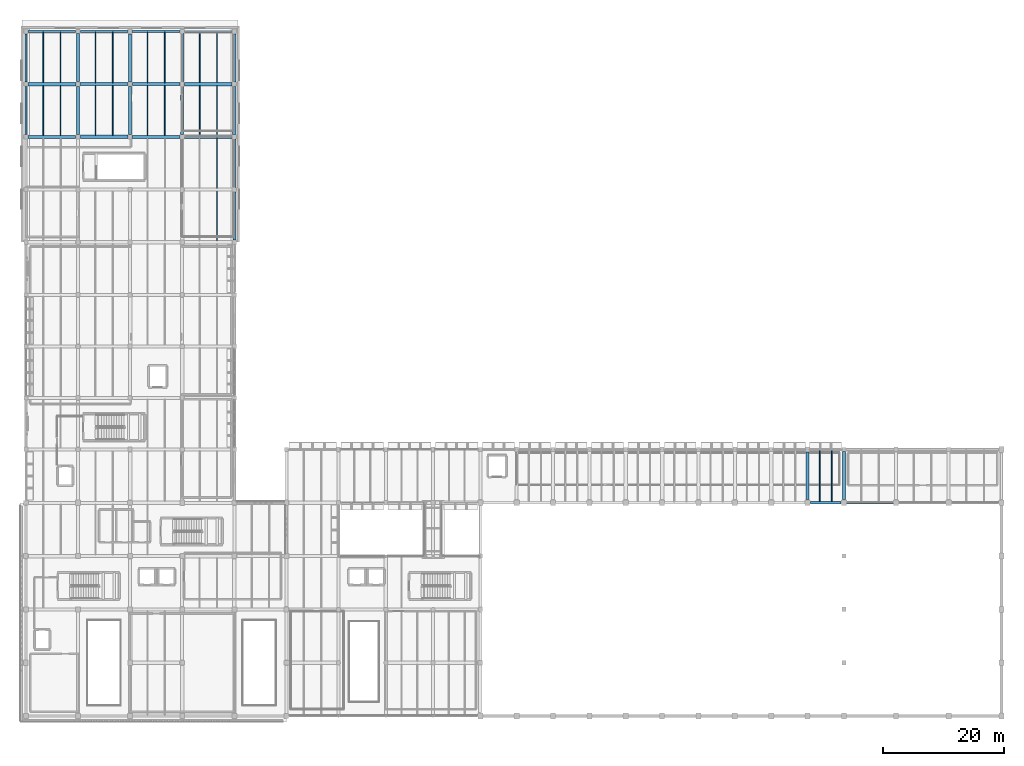
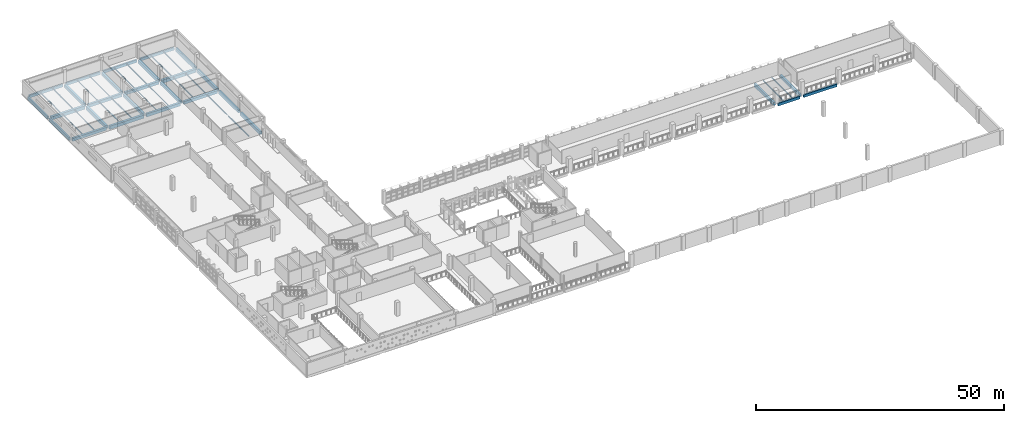
# One storey, part 43 of 75: 48 beams.
"""IFC4 building model written with IfcOpenShell, lengths in metres."""

from ifc_helpers import new_model, si_unit, direction, frame, origin, origin_2d, place, context, subcontext, project, spatial, rectangle, i_section, extrude, material, material_profile, profile_set, type_object, element, save


model = new_model("IFC4")

# Units and contexts
model_context = context("Model", 3, precision=1e-05, world=origin(), true_north=direction((0.0, 1.0)))
body_context = subcontext(model_context, "Body", "Model", "MODEL_VIEW")
ifc_project = project(units=[si_unit("LENGTHUNIT", "METRE"), si_unit("AREAUNIT", "SQUARE_METRE"), si_unit("VOLUMEUNIT", "CUBIC_METRE"), si_unit("PLANEANGLEUNIT", "RADIAN"), si_unit("MASSUNIT", "GRAM", prefix="KILO")], contexts=[model_context])

# Site, building, storey
site_placement = place(None, origin())
site = spatial("IfcSite", under=ifc_project, at=site_placement, CompositionType="ELEMENT")
building_placement = place(site_placement, origin())
building = spatial("IfcBuilding", under=site, at=building_placement, Name="Varnakota Cinema and Media Centre", CompositionType="ELEMENT")
storey_placement = place(building_placement, frame((0.0, 0.0, 8.39990234375)))
storey = spatial("IfcBuildingStorey", under=building, at=storey_placement, Name="L02", CompositionType="ELEMENT", Elevation=8.39990234375)

# Beams
ifc_material_1 = material(Name="Concrete M35", Category="concrete")
ifc_material_profile_1 = material_profile(ifc_material_1, rectangle(XDim=0.5, YDim=0.699951171875, at=origin_2d()), Name="RCB 500x700")
ifc_profile_set_1 = profile_set([ifc_material_profile_1], Name="Concrete M35")
beam_type_1 = type_object("IfcBeamType", Name="BM-RC-500x700", PredefinedType="BEAM", material=ifc_profile_set_1)
for number, where, z_axis, x_axis, name in (
    (1, (0.35009765625, 95.60009765625, -0.599853515625), (1.0, 0.0, 0.0), (0.0, 1.0, 0.0), "L02 girder A-B/12"),
    (2, (26.175048828125, 95.60009765625, -0.599853515625), (1.0, 0.0, 0.0), (0.0, 1.0, 0.0), "L02 girder D-E/12"),
    (3, (17.574951171875, 104.300048828125, -0.599853515625), (1.0, 0.0, 0.0), (0.0, 1.0, 0.0), "L02 girder C-D/13"),
):
    element("IfcBeam", number, at=place(storey_placement, frame(where, z_axis=z_axis, x_axis=x_axis)), inside=storey, type_object=beam_type_1, Name=name, PredefinedType="BEAM", context=body_context, shape_type="SweptSolid", body=[
        extrude(rectangle(XDim=0.5, YDim=0.699951171875, at=origin_2d()), origin(), (0.0, 0.0, 1.0), 7.875),
    ])
beam_1_placement = place(storey_placement, frame((17.199951171875, 104.675048828125, -0.599853515625), z_axis=(0.0, 1.0, 0.0), x_axis=(-1.0, 0.0, 0.0)))
element("IfcBeam", 4, at=beam_1_placement, inside=storey, type_object=beam_type_1, Name="L02 girder C/13-14", PredefinedType="BEAM", context=body_context, shape_type="SweptSolid", body=[
    extrude(rectangle(XDim=0.5, YDim=0.699951171875, at=origin_2d()), origin(), (0.0, 0.0, 1.0), 7.925048828125),
])
beam_2_placement = place(storey_placement, frame((25.800048828125, 95.97509765625, -0.599853515625), z_axis=(0.0, 1.0, 0.0), x_axis=(-1.0, 0.0, 0.0)))
element("IfcBeam", 5, at=beam_2_placement, inside=storey, type_object=beam_type_1, Name="L02 girder D/12-13", PredefinedType="BEAM", context=body_context, shape_type="SweptSolid", body=[
    extrude(rectangle(XDim=0.5, YDim=0.699951171875, at=origin_2d()), origin(), (0.0, 0.0, 1.0), 7.9248046875),
])
beam_3_placement = place(storey_placement, frame((34.39990234375, 87.27490234375, -0.599853515625), z_axis=(0.0, 1.0, 0.0), x_axis=(-1.0, 0.0, 0.0)))
element("IfcBeam", 6, at=beam_3_placement, inside=storey, type_object=beam_type_1, Name="L02 girder E/11-12", PredefinedType="BEAM", context=body_context, shape_type="SweptSolid", body=[
    extrude(rectangle(XDim=0.5, YDim=0.699951171875, at=origin_2d()), origin(), (0.0, 0.0, 1.0), 7.925048828125),
])
beam_4_placement = place(storey_placement, frame((135.0, 35.75, -0.599853515625), z_axis=(0.0, 1.0, 0.0), x_axis=(-1.0, 0.0, 0.0)))
element("IfcBeam", 7, at=beam_4_placement, inside=storey, type_object=beam_type_1, Name="L02 girder V/5-6", PredefinedType="BEAM", context=body_context, shape_type="SweptSolid", body=[
    extrude(rectangle(XDim=0.5, YDim=0.699951171875, at=origin_2d()), origin(), (0.0, 0.0, 1.0), 7.875),
])
ifc_material_2 = material(Name="Concrete M35", Category="concrete")
ifc_material_profile_2 = material_profile(ifc_material_2, rectangle(XDim=0.5, YDim=0.75, at=origin_2d()), Name="RCB 500x750")
ifc_profile_set_2 = profile_set([ifc_material_profile_2], Name="Concrete M35")
beam_type_2 = type_object("IfcBeamType", Name="BM-RC-500x750", PredefinedType="BEAM", material=ifc_profile_set_2)
for number, where, z_axis, x_axis, name in (
    (8, (17.550048828125, 95.60009765625, -0.625), (1.0, 0.0, 0.0), (0.0, 1.0, 0.0), "L02 girder C-D/12"),
    (9, (8.949951171875, 104.300048828125, -0.625), (1.0, 0.0, 0.0), (0.0, 1.0, 0.0), "L02 girder B-C/13"),
):
    element("IfcBeam", number, at=place(storey_placement, frame(where, z_axis=z_axis, x_axis=x_axis)), inside=storey, type_object=beam_type_2, Name=name, PredefinedType="BEAM", context=body_context, shape_type="SweptSolid", body=[
        extrude(rectangle(XDim=0.5, YDim=0.75, at=origin_2d()), origin(), (0.0, 0.0, 1.0), 7.875),
    ])
for number, where, z_axis, x_axis, name in (
    (10, (8.60009765625, 104.699951171875, -0.625), (0.0, 1.0, 0.0), (-1.0, 0.0, 0.0), "L02 girder B/13-14"),
    (11, (17.199951171875, 96.0, -0.625), (0.0, 1.0, 0.0), (-1.0, 0.0, 0.0), "L02 girder C/12-13"),
):
    element("IfcBeam", number, at=place(storey_placement, frame(where, z_axis=z_axis, x_axis=x_axis)), inside=storey, type_object=beam_type_2, Name=name, PredefinedType="BEAM", context=body_context, shape_type="SweptSolid", body=[
        extrude(rectangle(XDim=0.5, YDim=0.75, at=origin_2d()), origin(), (0.0, 0.0, 1.0), 7.925048828125),
    ])
beam_5_placement = place(storey_placement, frame((34.39990234375, 78.60009765625, -0.625), z_axis=(0.0, 1.0, 0.0), x_axis=(-1.0, 0.0, 0.0)))
element("IfcBeam", 12, at=beam_5_placement, inside=storey, type_object=beam_type_2, Name="L02 girder E/10-11", PredefinedType="BEAM", context=body_context, shape_type="SweptSolid", body=[
    extrude(rectangle(XDim=0.5, YDim=0.75, at=origin_2d()), origin(), (0.0, 0.0, 1.0), 7.9248046875),
])
beam_6_placement = place(storey_placement, frame((34.39990234375, 104.675048828125, -0.625), z_axis=(0.0, 1.0, 0.0), x_axis=(-1.0, 0.0, 0.0)))
element("IfcBeam", 13, at=beam_6_placement, inside=storey, type_object=beam_type_2, Name="L02 girder E/13-14", PredefinedType="BEAM", context=body_context, shape_type="SweptSolid", body=[
    extrude(rectangle(XDim=0.5, YDim=0.75, at=origin_2d()), origin(), (0.0, 0.0, 1.0), 7.925048828125),
])
beam_7_placement = place(storey_placement, frame((129.0, 35.75, -0.625), z_axis=(0.0, 1.0, 0.0), x_axis=(-1.0, 0.0, 0.0)))
element("IfcBeam", 14, at=beam_7_placement, inside=storey, type_object=beam_type_2, Name="L02 girder U/5-6", PredefinedType="BEAM", context=body_context, shape_type="SweptSolid", body=[
    extrude(rectangle(XDim=0.5, YDim=0.75, at=origin_2d()), origin(), (0.0, 0.0, 1.0), 7.85009765625),
])
ifc_material_3 = material(Name="Concrete M35", Category="concrete")
ifc_material_profile_3 = material_profile(ifc_material_3, rectangle(XDim=0.550048828125, YDim=0.800048828125, at=origin_2d()), Name="RCB 550x800")
ifc_profile_set_3 = profile_set([ifc_material_profile_3], Name="Concrete M35")
beam_type_3 = type_object("IfcBeamType", Name="BM-RC-550x800", PredefinedType="BEAM", material=ifc_profile_set_3)
for number, where, z_axis, x_axis, name in (
    (15, (8.97509765625, 95.60009765625, -0.64990234375), (1.0, 0.0, 0.0), (0.0, 1.0, 0.0), "L02 girder B-C/12"),
    (16, (0.375, 104.300048828125, -0.64990234375), (1.0, 0.0, 0.0), (0.0, 1.0, 0.0), "L02 girder A-B/13"),
    (17, (26.14990234375, 104.300048828125, -0.64990234375), (1.0, 0.0, 0.0), (0.0, 1.0, 0.0), "L02 girder D-E/13"),
):
    element("IfcBeam", number, at=place(storey_placement, frame(where, z_axis=z_axis, x_axis=x_axis)), inside=storey, type_object=beam_type_3, Name=name, PredefinedType="BEAM", context=body_context, shape_type="SweptSolid", body=[
        extrude(rectangle(XDim=0.550048828125, YDim=0.800048828125, at=origin_2d()), origin(), (0.0, 0.0, 1.0), 7.875),
    ])
beam_8_placement = place(storey_placement, frame((8.60009765625, 95.97509765625, -0.64990234375), z_axis=(0.0, 1.0, 0.0), x_axis=(-1.0, 0.0, 0.0)))
element("IfcBeam", 18, at=beam_8_placement, inside=storey, type_object=beam_type_3, Name="L02 girder B/12-13", PredefinedType="BEAM", context=body_context, shape_type="SweptSolid", body=[
    extrude(rectangle(XDim=0.550048828125, YDim=0.800048828125, at=origin_2d()), origin(), (0.0, 0.0, 1.0), 7.9248046875),
])
for number, where, z_axis, x_axis, name in (
    (19, (25.800048828125, 104.699951171875, -0.64990234375), (0.0, 1.0, 0.0), (-1.0, 0.0, 0.0), "L02 girder D/13-14"),
    (20, (34.39990234375, 96.0, -0.64990234375), (0.0, 1.0, 0.0), (-1.0, 0.0, 0.0), "L02 girder E/12-13"),
):
    element("IfcBeam", number, at=place(storey_placement, frame(where, z_axis=z_axis, x_axis=x_axis)), inside=storey, type_object=beam_type_3, Name=name, PredefinedType="BEAM", context=body_context, shape_type="SweptSolid", body=[
        extrude(rectangle(XDim=0.550048828125, YDim=0.800048828125, at=origin_2d()), origin(), (0.0, 0.0, 1.0), 7.925048828125),
    ])
ifc_material_4 = material(Name="Concrete M40", Category="concrete")
ifc_material_profile_4 = material_profile(ifc_material_4, rectangle(XDim=0.35009765625, YDim=0.64990234375, at=origin_2d()), Name="RCB 350x650")
ifc_profile_set_4 = profile_set([ifc_material_profile_4], Name="Concrete M40")
beam_type_4 = type_object("IfcBeamType", Name="BM-SP-350x650", PredefinedType="SPANDREL", material=ifc_profile_set_4)
beam_9_placement = place(storey_placement, frame((129.449951171875, 35.199951171875, -0.574951171875), z_axis=(1.0, 0.0, 0.0), x_axis=(0.0, 1.0, 0.0)))
element("IfcBeam", 21, at=beam_9_placement, inside=storey, type_object=beam_type_4, Name="L02 girder U-V/5", PredefinedType="SPANDREL", context=body_context, shape_type="SweptSolid", body=[
    extrude(rectangle(XDim=0.35009765625, YDim=0.64990234375, at=origin_2d()), origin(), (0.0, 0.0, 1.0), 5.10009765625),
])
beam_10_placement = place(storey_placement, frame((135.449951171875, 35.199951171875, -0.574951171875), z_axis=(1.0, 0.0, 0.0), x_axis=(0.0, 1.0, 0.0)))
element("IfcBeam", 22, at=beam_10_placement, inside=storey, type_object=beam_type_4, Name="L02 girder V-W/5", PredefinedType="SPANDREL", context=body_context, shape_type="SweptSolid", body=[
    extrude(rectangle(XDim=0.35009765625, YDim=0.64990234375, at=origin_2d()), origin(), (0.0, 0.0, 1.0), 7.699951171875),
])
for number, where, z_axis, x_axis, name in (
    (23, (0.35009765625, 113.0, -0.574951171875), (1.0, 0.0, 0.0), (0.0, 1.0, 0.0), "L02 girder A-B/14"),
    (24, (8.97509765625, 113.0, -0.574951171875), (1.0, 0.0, 0.0), (0.0, 1.0, 0.0), "L02 girder B-C/14"),
    (25, (17.550048828125, 113.0, -0.574951171875), (1.0, 0.0, 0.0), (0.0, 1.0, 0.0), "L02 girder C-D/14"),
    (26, (26.175048828125, 113.0, -0.574951171875), (1.0, 0.0, 0.0), (0.0, 1.0, 0.0), "L02 girder D-E/14"),
):
    element("IfcBeam", number, at=place(storey_placement, frame(where, z_axis=z_axis, x_axis=x_axis)), inside=storey, type_object=beam_type_4, Name=name, PredefinedType="SPANDREL", context=body_context, shape_type="SweptSolid", body=[
        extrude(rectangle(XDim=0.35009765625, YDim=0.64990234375, at=origin_2d()), origin(), (0.0, 0.0, 1.0), 7.875),
    ])
ifc_material_5 = material(Name="Concrete M40", Category="concrete")
ifc_material_profile_5 = material_profile(ifc_material_5, rectangle(XDim=0.35009765625, YDim=0.75, at=origin_2d()), Name="RCB 350x750")
ifc_profile_set_5 = profile_set([ifc_material_profile_5], Name="Concrete M40")
beam_type_5 = type_object("IfcBeamType", Name="BM-SP-350x750", PredefinedType="SPANDREL", material=ifc_profile_set_5)
for number, where, z_axis, x_axis, name in (
    (27, (0.0, 96.0, -0.625), (0.0, 1.0, 0.0), (-1.0, 0.0, 0.0), "L02 girder A/12-13"),
    (28, (0.0, 104.675048828125, -0.625), (0.0, 1.0, 0.0), (-1.0, 0.0, 0.0), "L02 girder A/13-14"),
):
    element("IfcBeam", number, at=place(storey_placement, frame(where, z_axis=z_axis, x_axis=x_axis)), inside=storey, type_object=beam_type_5, Name=name, PredefinedType="SPANDREL", context=body_context, shape_type="SweptSolid", body=[
        extrude(rectangle(XDim=0.35009765625, YDim=0.75, at=origin_2d()), origin(), (0.0, 0.0, 1.0), 7.925048828125),
    ])
ifc_material_6 = material(Name="Structural steel Grade 350 (E350)", Category="steel")
ifc_material_profile_6 = material_profile(ifc_material_6, i_section(OverallWidth=0.10009765625, OverallDepth=0.199951171875, WebThickness=0.005615234375, FlangeThickness=0.0107421875, FilletRadius=0.010986328125, at=origin_2d()), Name="ISMB 200")
ifc_profile_set_6 = profile_set([ifc_material_profile_6], Name="Structural steel Grade 350 (E350)")
beam_type_6 = type_object("IfcBeamType", Name="BM-ST-ISMB200", PredefinedType="JOIST", material=ifc_profile_set_6)
for number, where, z_axis, x_axis, name in (
    (29, (2.86669921875, 95.85009765625, -0.349853515625), (0.0, 1.0, 0.0), (-1.0, 0.0, 0.0), "L02 steel joist A-B/12-13 #1"),
    (30, (5.7333984375, 95.85009765625, -0.349853515625), (0.0, 1.0, 0.0), (-1.0, 0.0, 0.0), "L02 steel joist A-B/12-13 #2"),
):
    element("IfcBeam", number, at=place(storey_placement, frame(where, z_axis=z_axis, x_axis=x_axis)), inside=storey, type_object=beam_type_6, Name=name, PredefinedType="JOIST", context=body_context, shape_type="SweptSolid", body=[
        extrude(i_section(OverallWidth=0.10009765625, OverallDepth=0.199951171875, WebThickness=0.005615234375, FlangeThickness=0.0107421875, FilletRadius=0.010986328125, at=origin_2d()), origin(), (0.0, 0.0, 1.0), 8.1748046875),
    ])
ifc_material_7 = material(Name="Structural steel Grade 350 (E350)", Category="steel")
ifc_material_profile_7 = material_profile(ifc_material_7, i_section(OverallWidth=0.110107421875, OverallDepth=0.22509765625, WebThickness=0.006591796875, FlangeThickness=0.01171875, FilletRadius=0.011962890625, at=origin_2d()), Name="ISMB 225")
ifc_profile_set_7 = profile_set([ifc_material_profile_7], Name="Structural steel Grade 350 (E350)")
beam_type_7 = type_object("IfcBeamType", Name="BM-ST-ISMB225", PredefinedType="JOIST", material=ifc_profile_set_7)
for number, where, z_axis, x_axis, name in (
    (31, (2.86669921875, 104.574951171875, -0.3623046875), (0.0, 1.0, 0.0), (-1.0, 0.0, 0.0), "L02 steel joist A-B/13-14 #1"),
    (32, (5.7333984375, 104.574951171875, -0.3623046875), (0.0, 1.0, 0.0), (-1.0, 0.0, 0.0), "L02 steel joist A-B/13-14 #2"),
):
    element("IfcBeam", number, at=place(storey_placement, frame(where, z_axis=z_axis, x_axis=x_axis)), inside=storey, type_object=beam_type_7, Name=name, PredefinedType="JOIST", context=body_context, shape_type="SweptSolid", body=[
        extrude(i_section(OverallWidth=0.110107421875, OverallDepth=0.22509765625, WebThickness=0.006591796875, FlangeThickness=0.01171875, FilletRadius=0.011962890625, at=origin_2d()), origin(), (0.0, 0.0, 1.0), 8.25),
    ])
for number, where, z_axis, x_axis, name in (
    (33, (11.466796875, 95.875, -0.3623046875), (0.0, 1.0, 0.0), (-1.0, 0.0, 0.0), "L02 steel joist B-C/12-13 #1"),
    (34, (14.333251953125, 95.875, -0.3623046875), (0.0, 1.0, 0.0), (-1.0, 0.0, 0.0), "L02 steel joist B-C/12-13 #2"),
):
    element("IfcBeam", number, at=place(storey_placement, frame(where, z_axis=z_axis, x_axis=x_axis)), inside=storey, type_object=beam_type_7, Name=name, PredefinedType="JOIST", context=body_context, shape_type="SweptSolid", body=[
        extrude(i_section(OverallWidth=0.110107421875, OverallDepth=0.22509765625, WebThickness=0.006591796875, FlangeThickness=0.01171875, FilletRadius=0.011962890625, at=origin_2d()), origin(), (0.0, 0.0, 1.0), 8.175048828125),
    ])
beam_11_placement = place(storey_placement, frame((31.533203125, 78.47509765625, -0.3623046875), z_axis=(0.0, 1.0, 0.0), x_axis=(-1.0, 0.0, 0.0)))
element("IfcBeam", 35, at=beam_11_placement, inside=storey, type_object=beam_type_7, Name="L02 steel joist D-E/10-11 #2", PredefinedType="JOIST", context=body_context, shape_type="SweptSolid", body=[
    extrude(i_section(OverallWidth=0.110107421875, OverallDepth=0.22509765625, WebThickness=0.006591796875, FlangeThickness=0.01171875, FilletRadius=0.011962890625, at=origin_2d()), origin(), (0.0, 0.0, 1.0), 8.1748046875),
])
ifc_material_8 = material(Name="Structural steel Grade 350 (E350)", Category="steel")
ifc_material_profile_8 = material_profile(ifc_material_8, i_section(OverallWidth=0.125, OverallDepth=0.25, WebThickness=0.0068359375, FlangeThickness=0.012451171875, FilletRadius=0.012939453125, at=origin_2d()), Name="ISMB 250")
ifc_profile_set_8 = profile_set([ifc_material_profile_8], Name="Structural steel Grade 350 (E350)")
beam_type_8 = type_object("IfcBeamType", Name="BM-ST-ISMB250", PredefinedType="JOIST", material=ifc_profile_set_8)
for number, where, z_axis, x_axis, name in (
    (36, (11.466796875, 104.550048828125, -0.375), (0.0, 1.0, 0.0), (-1.0, 0.0, 0.0), "L02 steel joist B-C/13-14 #1"),
    (37, (14.333251953125, 104.550048828125, -0.375), (0.0, 1.0, 0.0), (-1.0, 0.0, 0.0), "L02 steel joist B-C/13-14 #2"),
):
    element("IfcBeam", number, at=place(storey_placement, frame(where, z_axis=z_axis, x_axis=x_axis)), inside=storey, type_object=beam_type_8, Name=name, PredefinedType="JOIST", context=body_context, shape_type="SweptSolid", body=[
        extrude(i_section(OverallWidth=0.125, OverallDepth=0.25, WebThickness=0.0068359375, FlangeThickness=0.012451171875, FilletRadius=0.012939453125, at=origin_2d()), origin(), (0.0, 0.0, 1.0), 8.27490234375),
    ])
for number, where, z_axis, x_axis, name in (
    (38, (20.066650390625, 95.85009765625, -0.375), (0.0, 1.0, 0.0), (-1.0, 0.0, 0.0), "L02 steel joist C-D/12-13 #1"),
    (39, (22.933349609375, 95.85009765625, -0.375), (0.0, 1.0, 0.0), (-1.0, 0.0, 0.0), "L02 steel joist C-D/12-13 #2"),
):
    element("IfcBeam", number, at=place(storey_placement, frame(where, z_axis=z_axis, x_axis=x_axis)), inside=storey, type_object=beam_type_8, Name=name, PredefinedType="JOIST", context=body_context, shape_type="SweptSolid", body=[
        extrude(i_section(OverallWidth=0.125, OverallDepth=0.25, WebThickness=0.0068359375, FlangeThickness=0.012451171875, FilletRadius=0.012939453125, at=origin_2d()), origin(), (0.0, 0.0, 1.0), 8.199951171875),
    ])
beam_12_placement = place(storey_placement, frame((31.533203125, 87.14990234375, -0.375), z_axis=(0.0, 1.0, 0.0), x_axis=(-1.0, 0.0, 0.0)))
element("IfcBeam", 40, at=beam_12_placement, inside=storey, type_object=beam_type_8, Name="L02 steel joist D-E/11-12 #2", PredefinedType="JOIST", context=body_context, shape_type="SweptSolid", body=[
    extrude(i_section(OverallWidth=0.125, OverallDepth=0.25, WebThickness=0.0068359375, FlangeThickness=0.012451171875, FilletRadius=0.012939453125, at=origin_2d()), origin(), (0.0, 0.0, 1.0), 8.2001953125),
])
ifc_material_9 = material(Name="Structural steel Grade 350 (E350)", Category="steel")
ifc_material_profile_9 = material_profile(ifc_material_9, i_section(OverallWidth=0.139892578125, OverallDepth=0.300048828125, WebThickness=0.0078125, FlangeThickness=0.01318359375, FilletRadius=0.013916015625, at=origin_2d()), Name="ISMB 300")
ifc_profile_set_9 = profile_set([ifc_material_profile_9], Name="Structural steel Grade 350 (E350)")
beam_type_9 = type_object("IfcBeamType", Name="BM-ST-ISMB300", PredefinedType="JOIST", material=ifc_profile_set_9)
for number, where, z_axis, x_axis, name in (
    (41, (20.066650390625, 104.550048828125, -0.39990234375), (0.0, 1.0, 0.0), (-1.0, 0.0, 0.0), "L02 steel joist C-D/13-14 #1"),
    (42, (22.933349609375, 104.550048828125, -0.39990234375), (0.0, 1.0, 0.0), (-1.0, 0.0, 0.0), "L02 steel joist C-D/13-14 #2"),
):
    element("IfcBeam", number, at=place(storey_placement, frame(where, z_axis=z_axis, x_axis=x_axis)), inside=storey, type_object=beam_type_9, Name=name, PredefinedType="JOIST", context=body_context, shape_type="SweptSolid", body=[
        extrude(i_section(OverallWidth=0.139892578125, OverallDepth=0.300048828125, WebThickness=0.0078125, FlangeThickness=0.01318359375, FilletRadius=0.013916015625, at=origin_2d()), origin(), (0.0, 0.0, 1.0), 8.27490234375),
    ])
for number, where, z_axis, x_axis, name in (
    (43, (28.666748046875, 95.85009765625, -0.39990234375), (0.0, 1.0, 0.0), (-1.0, 0.0, 0.0), "L02 steel joist D-E/12-13 #1"),
    (44, (31.533203125, 95.85009765625, -0.39990234375), (0.0, 1.0, 0.0), (-1.0, 0.0, 0.0), "L02 steel joist D-E/12-13 #2"),
):
    element("IfcBeam", number, at=place(storey_placement, frame(where, z_axis=z_axis, x_axis=x_axis)), inside=storey, type_object=beam_type_9, Name=name, PredefinedType="JOIST", context=body_context, shape_type="SweptSolid", body=[
        extrude(i_section(OverallWidth=0.139892578125, OverallDepth=0.300048828125, WebThickness=0.0078125, FlangeThickness=0.01318359375, FilletRadius=0.013916015625, at=origin_2d()), origin(), (0.0, 0.0, 1.0), 8.1748046875),
    ])
ifc_material_10 = material(Name="Structural steel Grade 350 (E350)", Category="steel")
ifc_material_profile_10 = material_profile(ifc_material_10, i_section(OverallWidth=0.139892578125, OverallDepth=0.35009765625, WebThickness=0.008056640625, FlangeThickness=0.01416015625, FilletRadius=0.013916015625, at=origin_2d()), Name="ISMB 350")
ifc_profile_set_10 = profile_set([ifc_material_profile_10], Name="Structural steel Grade 350 (E350)")
beam_type_10 = type_object("IfcBeamType", Name="BM-ST-ISMB350", PredefinedType="JOIST", material=ifc_profile_set_10)
for number, where, z_axis, x_axis, name in (
    (45, (28.666748046875, 104.574951171875, -0.4248046875), (0.0, 1.0, 0.0), (-1.0, 0.0, 0.0), "L02 steel joist D-E/13-14 #1"),
    (46, (31.533203125, 104.574951171875, -0.4248046875), (0.0, 1.0, 0.0), (-1.0, 0.0, 0.0), "L02 steel joist D-E/13-14 #2"),
):
    element("IfcBeam", number, at=place(storey_placement, frame(where, z_axis=z_axis, x_axis=x_axis)), inside=storey, type_object=beam_type_10, Name=name, PredefinedType="JOIST", context=body_context, shape_type="SweptSolid", body=[
        extrude(i_section(OverallWidth=0.139892578125, OverallDepth=0.35009765625, WebThickness=0.008056640625, FlangeThickness=0.01416015625, FilletRadius=0.013916015625, at=origin_2d()), origin(), (0.0, 0.0, 1.0), 8.25),
    ])
for number, where, z_axis, x_axis, name in (
    (47, (131.0, 35.375, -0.4248046875), (0.0, 1.0, 0.0), (-1.0, 0.0, 0.0), "L02 steel joist U-V/5-6 #1"),
    (48, (133.0, 35.375, -0.4248046875), (0.0, 1.0, 0.0), (-1.0, 0.0, 0.0), "L02 steel joist U-V/5-6 #2"),
):
    element("IfcBeam", number, at=place(storey_placement, frame(where, z_axis=z_axis, x_axis=x_axis)), inside=storey, type_object=beam_type_10, Name=name, PredefinedType="JOIST", context=body_context, shape_type="SweptSolid", body=[
        extrude(i_section(OverallWidth=0.139892578125, OverallDepth=0.35009765625, WebThickness=0.008056640625, FlangeThickness=0.01416015625, FilletRadius=0.013916015625, at=origin_2d()), origin(), (0.0, 0.0, 1.0), 8.47509765625),
    ])

save(model, "model.ifc")
